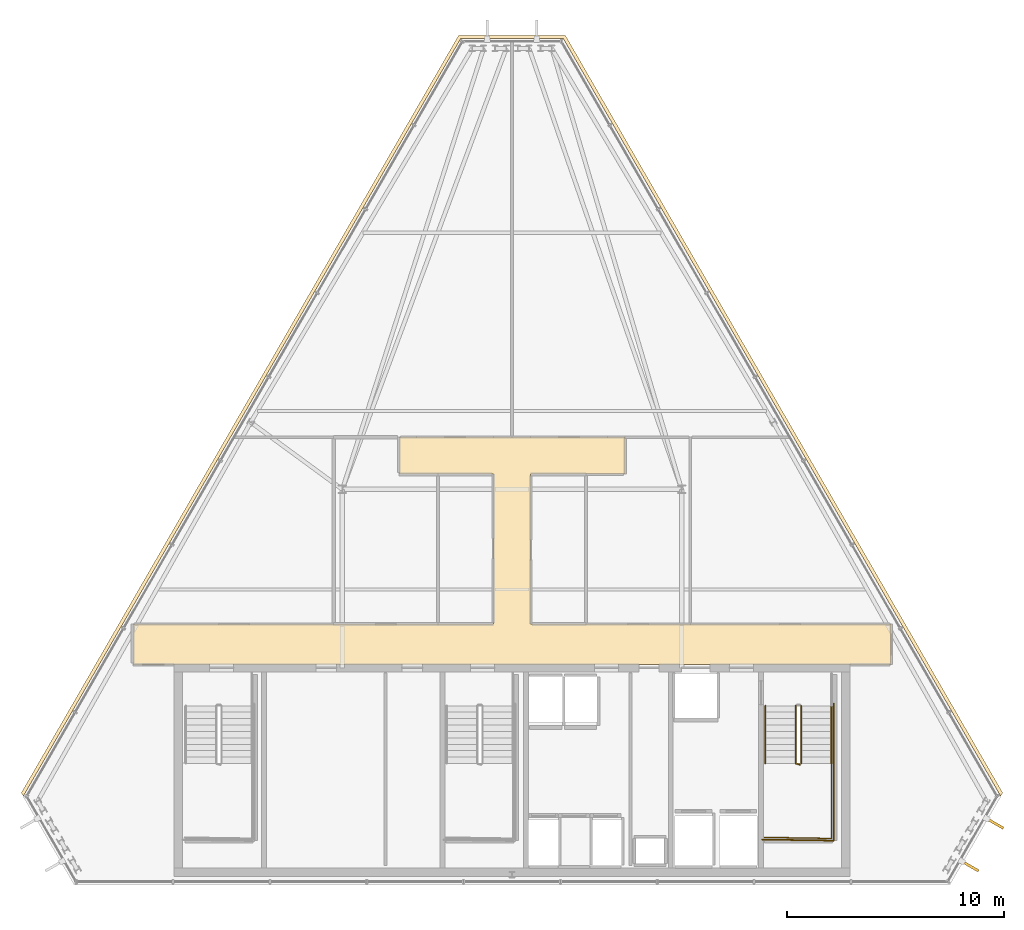
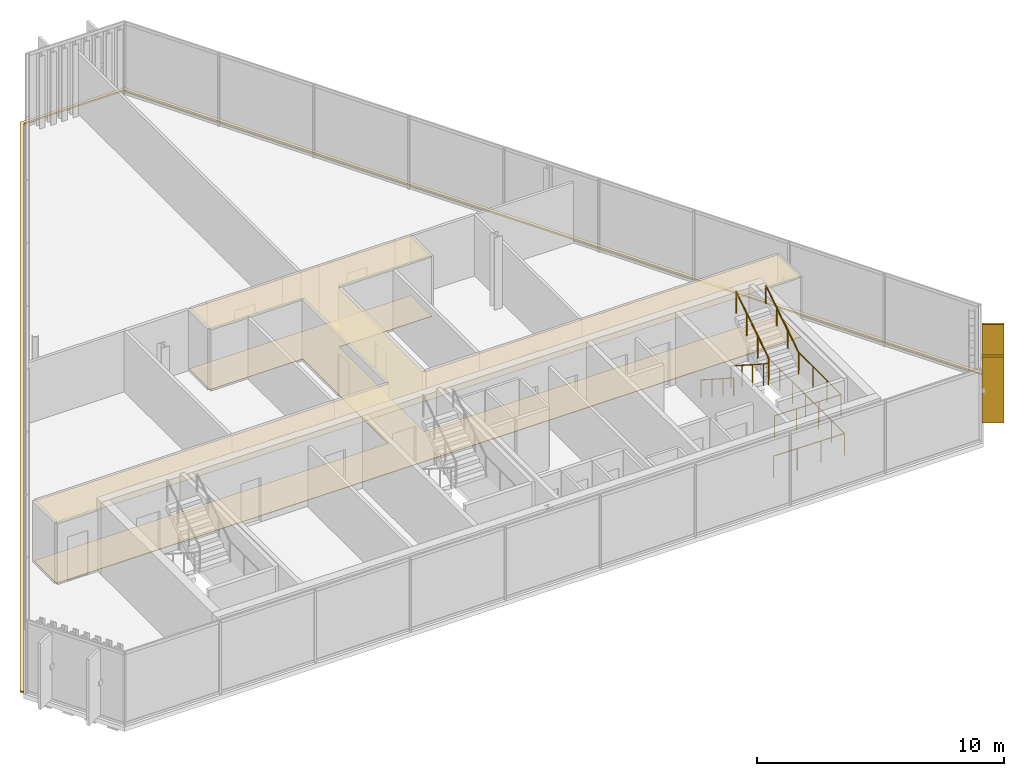
# One storey, part 31 of 32: 6 railings, 3 coverings, 2 shading devices.
"""IFC4 building model written with IfcOpenShell, lengths in metres."""

from ifc_helpers import new_model, si_unit, direction, frame, origin, origin_2d, place, context, subcontext, project, spatial, polyline, rectangle, circle, outline, extrude, material, layer, layer_set, type_object, element, save


model = new_model("IFC4")

# Units and contexts
model_context = context("Model", 3, precision=1e-05, world=origin(), true_north=direction((0.0, 1.0)))
body_context = subcontext(model_context, "Body", "Model", "MODEL_VIEW")
ifc_project = project(units=[si_unit("LENGTHUNIT", "METRE"), si_unit("AREAUNIT", "SQUARE_METRE"), si_unit("VOLUMEUNIT", "CUBIC_METRE"), si_unit("PLANEANGLEUNIT", "RADIAN"), si_unit("MASSUNIT", "GRAM", prefix="KILO")], contexts=[model_context])

# Site, building, storey
site_placement = place(None, origin())
site = spatial("IfcSite", under=ifc_project, at=site_placement, CompositionType="ELEMENT")
building_placement = place(site_placement, origin())
building = spatial("IfcBuilding", under=site, at=building_placement, Name="Ndaravel Arena Tower", CompositionType="ELEMENT")
storey_placement = place(building_placement, frame((0.0, 0.0, 283.300048828125)))
storey = spatial("IfcBuildingStorey", under=building, at=storey_placement, Name="L69", CompositionType="ELEMENT", Elevation=283.300048828125)

# Coverings
ifc_material_1 = material(Name="Acoustic Ceiling Tile", Category="finish")
ifc_layer_1 = layer(ifc_material_1, 0.02490234375)
ifc_layer_set_1 = layer_set([ifc_layer_1], Name="Acoustic Ceiling Tile")
covering_type_1 = type_object("IfcCoveringType", Name="COV-CEIL-AC600", PredefinedType="CEILING", material=ifc_layer_set_1)
covering_1_placement = place(storey_placement, frame((0.0, 0.0, 2.98046875)))
element("IfcCovering", 1, at=covering_1_placement, inside=storey, type_object=covering_type_1, Name="L69 Corridor Acoustic Ceiling", PredefinedType="CEILING", context=body_context, shape_type="SweptSolid", body=[
    extrude(outline(polyline([(59.43408203125, 17.0), (42.85009765625, 17.0), (42.85009765625, 23.89990234375), (47.199951171875, 23.89990234375), (47.199951171875, 25.60009765625), (42.85009765625, 25.60009765625), (41.14990234375, 25.60009765625), (36.800048828125, 25.60009765625), (36.800048828125, 23.89990234375), (41.14990234375, 23.89990234375), (41.14990234375, 17.0), (24.56591796875, 17.0), (24.56591796875, 15.14990234375), (59.43408203125, 15.14990234375), (59.43408203125, 17.0)])), origin(), (0.0, 0.0, 1.0), 0.02490234375),
])
ifc_material_2 = material(Name="Terrazzo", Category="stone")
ifc_layer_2 = layer(ifc_material_2, 0.030029296875)
ifc_layer_set_2 = layer_set([ifc_layer_2], Name="Terrazzo")
covering_type_2 = type_object("IfcCoveringType", Name="COV-FLOOR-TERRAZZO", PredefinedType="FLOORING", material=ifc_layer_set_2)
covering_2_placement = place(storey_placement, origin())
element("IfcCovering", 2, at=covering_2_placement, inside=storey, type_object=covering_type_2, Name="L69 Corridor Terrazzo Flooring", PredefinedType="FLOORING", context=body_context, shape_type="SweptSolid", body=[
    extrude(outline(polyline([(59.43408203125, 17.0), (42.85009765625, 17.0), (42.85009765625, 23.89990234375), (47.199951171875, 23.89990234375), (47.199951171875, 25.60009765625), (42.85009765625, 25.60009765625), (41.14990234375, 25.60009765625), (36.800048828125, 25.60009765625), (36.800048828125, 23.89990234375), (41.14990234375, 23.89990234375), (41.14990234375, 17.0), (24.56591796875, 17.0), (24.56591796875, 15.14990234375), (59.43408203125, 15.14990234375), (59.43408203125, 17.0)])), origin(), (0.0, 0.0, 1.0), 0.030029296875),
])
ifc_material_3 = material(Name="Roofing Membrane", Category="finish")
ifc_layer_3 = layer(ifc_material_3, 0.080078125)
ifc_layer_set_3 = layer_set([ifc_layer_3], Name="Roofing Membrane")
covering_type_3 = type_object("IfcCoveringType", Name="COV-ROOF-MEMB", PredefinedType="ROOFING", material=ifc_layer_set_3)
covering_3_placement = place(storey_placement, origin())
element("IfcCovering", 3, at=covering_3_placement, inside=storey, type_object=covering_type_3, Name="L69 Facet Setback Weathering Flashing", PredefinedType="ROOFING", context=body_context, shape_type="SweptSolid", body=[
    extrude(outline(polyline([(19.44140625, 9.251708984375), (39.545166015625, 44.072509765625), (44.454833984375, 44.072509765625), (64.55859375, 9.251708984375), (64.46875, 9.096435546875), (44.353271484375, 43.937744140625), (39.646728515625, 43.937744140625), (19.53125, 9.096435546875), (19.44140625, 9.251708984375)])), origin(), (0.0, 0.0, 1.0), 0.079833984375),
])

# Railings
ifc_material_4 = material(Name="Steel S355", Category="steel")
ifc_layer_4 = layer(ifc_material_4, 0.06005859375)
ifc_layer_set_4 = layer_set([ifc_layer_4], Name="Steel S355")
railing_type_1 = type_object("IfcRailingType", Name="RAIL-STAIR-GD1100", PredefinedType="GUARDRAIL", material=ifc_layer_set_4)
railing_1_placement = place(storey_placement, frame((55.050048828125, 13.25, 0.18994140625)))
element("IfcRailing", 4, at=railing_1_placement, inside=storey, type_object=railing_type_1, Name="L69 ST-3 stair guard 1", PredefinedType="GUARDRAIL", context=body_context, shape_type="SweptSolid", body=[
    extrude(circle(Radius=0.02392578125, at=origin_2d()), frame((0.0, 0.0, 1.076171875), z_axis=(0.0, -0.840723540582, 0.54146461409), x_axis=(1.0, 0.0, 0.0)), (0.0, 0.0, 1.0), 3.157958984375),
    extrude(circle(Radius=0.02392578125, at=origin_2d()), frame((0.0, -2.655029296875, 2.7861328125), z_axis=(0.966993988697, -0.254799187253, 0.0), x_axis=(0.254799187253, 0.966993988697, 0.0)), (0.0, 0.0, 1.0), 0.196533203125),
    extrude(circle(Radius=0.02099609375, at=origin_2d()), origin(), (0.0, 0.0, 1.0), 1.052001953125),
    extrude(circle(Radius=0.02099609375, at=origin_2d()), frame((0.0, -0.885009765625, 0.570068359375)), (0.0, 0.0, 1.0), 1.052001953125),
    extrude(circle(Radius=0.02099609375, at=origin_2d()), frame((0.0, -1.77001953125, 1.139892578125)), (0.0, 0.0, 1.0), 1.052001953125),
    extrude(circle(Radius=0.02099609375, at=origin_2d()), frame((0.0, -2.655029296875, 1.7099609375)), (0.0, 0.0, 1.0), 1.052001953125),
    extrude(circle(Radius=0.02099609375, at=origin_2d()), frame((0.18994140625, -2.705078125, 1.7099609375)), (0.0, 0.0, 1.0), 1.052001953125),
])
railing_2_placement = place(storey_placement, frame((56.68994140625, 10.594970703125, 1.89990234375)))
element("IfcRailing", 5, at=railing_2_placement, inside=storey, type_object=railing_type_1, Name="L69 ST-3 stair guard 2", PredefinedType="GUARDRAIL", context=body_context, shape_type="SweptSolid", body=[
    extrude(circle(Radius=0.02392578125, at=origin_2d()), frame((0.0, 0.0, 1.076171875), z_axis=(0.0, -1.0, 0.0), x_axis=(1.0, 0.0, 0.0)), (0.0, 0.0, 1.0), 3.445068359375),
    extrude(circle(Radius=0.02392578125, at=origin_2d()), frame((0.0, -3.445068359375, 1.076171875), z_axis=(-0.999868840623, 0.016195726322, 0.0), x_axis=(-0.016195726322, -0.999868840623, 0.0)), (0.0, 0.0, 1.0), 3.09033203125),
    extrude(circle(Radius=0.02099609375, at=origin_2d()), origin(), (0.0, 0.0, 1.0), 1.052001953125),
    extrude(circle(Radius=0.02099609375, at=origin_2d()), frame((0.0, -1.1484375, 0.0)), (0.0, 0.0, 1.0), 1.052001953125),
    extrude(circle(Radius=0.02099609375, at=origin_2d()), frame((0.0, -2.296630859375, 0.0)), (0.0, 0.0, 1.0), 1.052001953125),
    extrude(circle(Radius=0.02099609375, at=origin_2d()), frame((0.0, -3.445068359375, 0.0)), (0.0, 0.0, 1.0), 1.052001953125),
    extrude(circle(Radius=0.02099609375, at=origin_2d()), frame((-1.030029296875, -3.428466796875, 0.0)), (0.0, 0.0, 1.0), 1.052001953125),
    extrude(circle(Radius=0.02099609375, at=origin_2d()), frame((-2.059814453125, -3.41162109375, 0.0)), (0.0, 0.0, 1.0), 1.052001953125),
    extrude(circle(Radius=0.02099609375, at=origin_2d()), frame((-3.08984375, -3.39501953125, 0.0)), (0.0, 0.0, 1.0), 1.052001953125),
])
railing_3_placement = place(storey_placement, frame((55.2900390625, 10.594970703125, 2.08984375)))
element("IfcRailing", 6, at=railing_3_placement, inside=storey, type_object=railing_type_1, Name="L69 ST-3 stair guard 3", PredefinedType="GUARDRAIL", context=body_context, shape_type="SweptSolid", body=[
    extrude(circle(Radius=0.02392578125, at=origin_2d()), frame((0.0, 0.0, 1.076171875), z_axis=(0.0, 0.840688348013, 0.541519253134), x_axis=(-1.0, 0.0, 0.0)), (0.0, 0.0, 1.0), 3.158203125),
    extrude(circle(Radius=0.02099609375, at=origin_2d()), origin(), (0.0, 0.0, 1.0), 1.052001953125),
    extrude(circle(Radius=0.02099609375, at=origin_2d()), frame((0.0, 0.885009765625, 0.570068359375)), (0.0, 0.0, 1.0), 1.052001953125),
    extrude(circle(Radius=0.02099609375, at=origin_2d()), frame((0.0, 1.77001953125, 1.14013671875)), (0.0, 0.0, 1.0), 1.052001953125),
    extrude(circle(Radius=0.02099609375, at=origin_2d()), frame((0.0, 2.655029296875, 1.710205078125)), (0.0, 0.0, 1.0), 1.052001953125),
])
railing_4_placement = place(storey_placement, frame((56.7900390625, 13.35009765625, 0.0)))
element("IfcRailing", 7, at=railing_4_placement, inside=storey, type_object=railing_type_1, Name="L69 ST-3 stair guard 6", PredefinedType="GUARDRAIL", context=body_context, shape_type="SweptSolid", body=[
    extrude(circle(Radius=0.02392578125, at=origin_2d()), frame((0.0, 0.0, 1.076171875), z_axis=(0.0, -1.0, 0.0), x_axis=(1.0, 0.0, 0.0)), (0.0, 0.0, 1.0), 6.300048828125),
    extrude(circle(Radius=0.02392578125, at=origin_2d()), frame((0.0, -6.300048828125, 1.076171875), z_axis=(-0.99988431412, 0.015210469308, 0.0), x_axis=(-0.015210469308, -0.99988431412, 0.0)), (0.0, 0.0, 1.0), 3.29052734375),
    extrude(circle(Radius=0.02099609375, at=origin_2d()), origin(), (0.0, 0.0, 1.0), 1.052001953125),
    extrude(circle(Radius=0.02099609375, at=origin_2d()), frame((0.0, -1.050048828125, 0.0)), (0.0, 0.0, 1.0), 1.052001953125),
    extrude(circle(Radius=0.02099609375, at=origin_2d()), frame((0.0, -2.10009765625, 0.0)), (0.0, 0.0, 1.0), 1.052001953125),
    extrude(circle(Radius=0.02099609375, at=origin_2d()), frame((0.0, -3.14990234375, 0.0)), (0.0, 0.0, 1.0), 1.052001953125),
    extrude(circle(Radius=0.02099609375, at=origin_2d()), frame((0.0, -4.199951171875, 0.0)), (0.0, 0.0, 1.0), 1.052001953125),
    extrude(circle(Radius=0.02099609375, at=origin_2d()), frame((0.0, -5.25, 0.0)), (0.0, 0.0, 1.0), 1.052001953125),
    extrude(circle(Radius=0.02099609375, at=origin_2d()), frame((0.0, -6.300048828125, 0.0)), (0.0, 0.0, 1.0), 1.052001953125),
    extrude(circle(Radius=0.02099609375, at=origin_2d()), frame((-1.0966796875, -6.283447265625, 0.0)), (0.0, 0.0, 1.0), 1.052001953125),
    extrude(circle(Radius=0.02099609375, at=origin_2d()), frame((-2.193359375, -6.2666015625, 0.0)), (0.0, 0.0, 1.0), 1.052001953125),
    extrude(circle(Radius=0.02099609375, at=origin_2d()), frame((-3.2900390625, -6.25, 0.0)), (0.0, 0.0, 1.0), 1.052001953125),
])
ifc_material_5 = material(Name="Steel S355", Category="steel")
ifc_layer_5 = layer(ifc_material_5, 0.050048828125)
ifc_layer_set_5 = layer_set([ifc_layer_5], Name="Steel S355")
railing_type_2 = type_object("IfcRailingType", Name="RAIL-STAIR-HR920", PredefinedType="HANDRAIL", material=ifc_layer_set_5)
railing_5_placement = place(storey_placement, frame((53.64990234375, 13.25, 0.18994140625)))
element("IfcRailing", 8, at=railing_5_placement, inside=storey, type_object=railing_type_2, Name="L69 ST-3 stair handrail 1", PredefinedType="HANDRAIL", context=body_context, shape_type="SweptSolid", body=[
    extrude(circle(Radius=0.02392578125, at=origin_2d()), frame((0.0, 0.0, 0.8759765625), z_axis=(0.0, -0.840723540582, 0.54146461409), x_axis=(1.0, 0.0, 0.0)), (0.0, 0.0, 1.0), 3.157958984375),
    extrude(circle(Radius=0.02099609375, at=origin_2d()), origin(), (0.0, 0.0, 1.0), 0.851806640625),
    extrude(circle(Radius=0.02099609375, at=origin_2d()), frame((0.0, -0.885009765625, 0.570068359375)), (0.0, 0.0, 1.0), 0.851806640625),
    extrude(circle(Radius=0.02099609375, at=origin_2d()), frame((0.0, -1.77001953125, 1.139892578125)), (0.0, 0.0, 1.0), 0.851806640625),
    extrude(circle(Radius=0.02099609375, at=origin_2d()), frame((0.0, -2.655029296875, 1.7099609375)), (0.0, 0.0, 1.0), 0.851806640625),
])
railing_6_placement = place(storey_placement, frame((56.68994140625, 10.594970703125, 2.08984375)))
element("IfcRailing", 9, at=railing_6_placement, inside=storey, type_object=railing_type_2, Name="L69 ST-3 stair handrail 2", PredefinedType="HANDRAIL", context=body_context, shape_type="SweptSolid", body=[
    extrude(circle(Radius=0.02392578125, at=origin_2d()), frame((0.0, 0.0, 0.8759765625), z_axis=(0.0, 0.840688348013, 0.541519253134), x_axis=(-1.0, 0.0, 0.0)), (0.0, 0.0, 1.0), 3.158203125),
    extrude(circle(Radius=0.02099609375, at=origin_2d()), origin(), (0.0, 0.0, 1.0), 0.851806640625),
    extrude(circle(Radius=0.02099609375, at=origin_2d()), frame((0.0, 0.885009765625, 0.570068359375)), (0.0, 0.0, 1.0), 0.851806640625),
    extrude(circle(Radius=0.02099609375, at=origin_2d()), frame((0.0, 1.77001953125, 1.14013671875)), (0.0, 0.0, 1.0), 0.851806640625),
    extrude(circle(Radius=0.02099609375, at=origin_2d()), frame((0.0, 2.655029296875, 1.710205078125)), (0.0, 0.0, 1.0), 0.851806640625),
])

# Shading devices
ifc_material_6 = material(Name="Masonry", Category="masonry")
shading_device_type = type_object("IfcShadingDeviceType", Name="SHD-MAZERAS-FIN", PredefinedType="SHUTTER", material=ifc_material_6)
for number, where, z_axis, x_axis, name in (
    (10, (63.065673828125, 5.876953125, 0.14990234375), (0.0, 0.0, 1.0), (0.866025403784, -0.5, 0.0), "L69 Mazeras Stone Solar Fin E2.1"),
    (11, (64.201904296875, 7.844970703125, 0.14990234375), (0.0, 0.0, 1.0), (0.866025403784, -0.5, 0.0), "L69 Mazeras Stone Solar Fin E2.2"),
):
    element("IfcShadingDevice", number, at=place(storey_placement, frame(where, z_axis=z_axis, x_axis=x_axis)), inside=storey, type_object=shading_device_type, Name=name, PredefinedType="SHUTTER", context=body_context, shape_type="SweptSolid", body=[
        extrude(rectangle(XDim=0.89990234375, YDim=0.1201171875, at=origin_2d()), origin(), (0.0, 0.0, 1.0), 3.280029296875),
    ])

save(model, "model.ifc")
